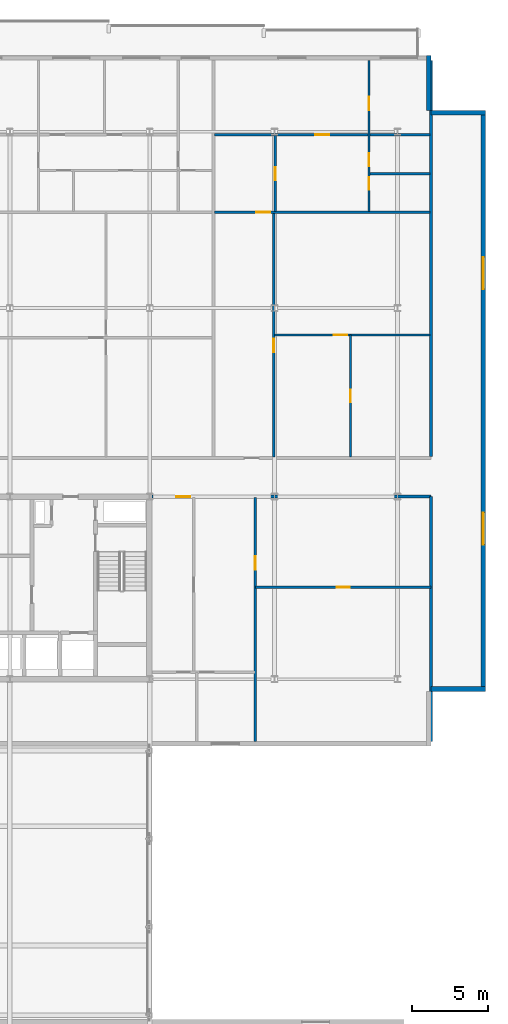
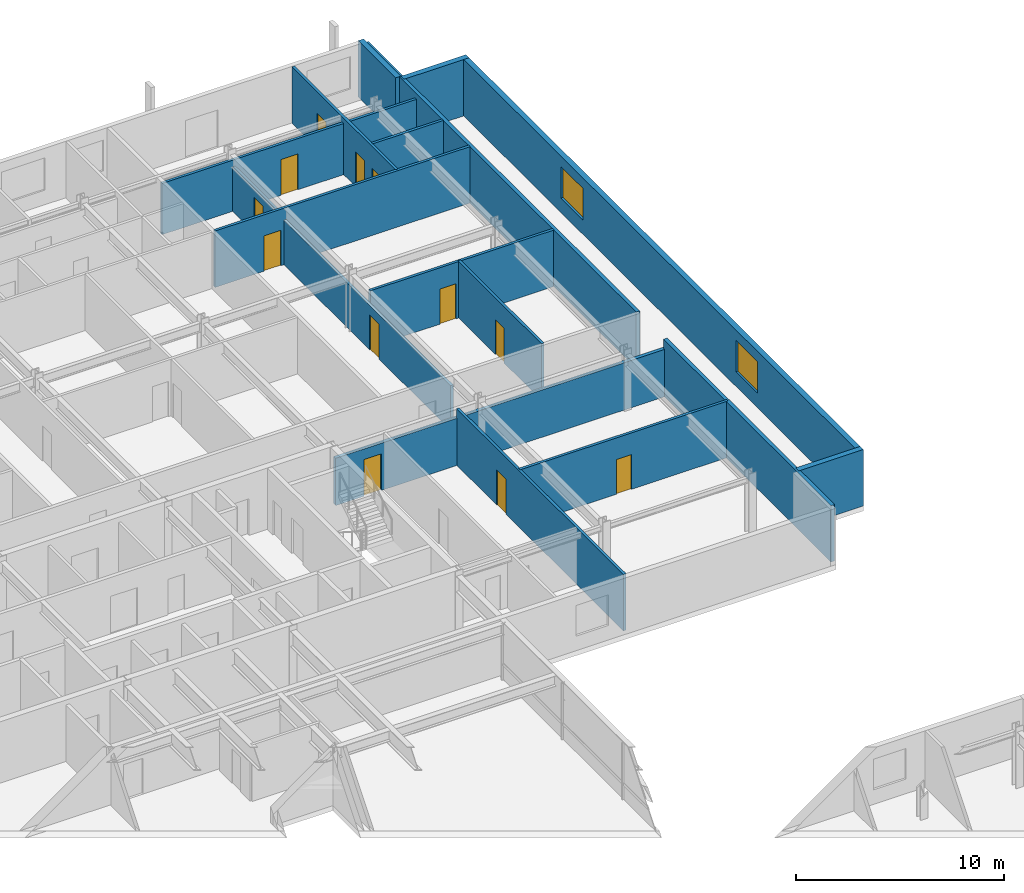
# One storey, part 29 of 36: 17 walls, 12 doors, 2 windows, 14 openings.
"""IFC4 building model written with IfcOpenShell, lengths in metres."""

from ifc_helpers import new_model, si_unit, direction, frame, frame_2d, origin, place, context, subcontext, project, spatial, rectangle, extrude, material, layer, layer_set, type_object, element, fill, save


model = new_model("IFC4")

# Units and contexts
model_context = context("Model", 3, precision=1e-05, world=origin(), true_north=direction((0.0, 1.0)))
body_context = subcontext(model_context, "Body", "Model", "MODEL_VIEW")
ifc_project = project(units=[si_unit("LENGTHUNIT", "METRE"), si_unit("AREAUNIT", "SQUARE_METRE"), si_unit("VOLUMEUNIT", "CUBIC_METRE"), si_unit("PLANEANGLEUNIT", "RADIAN"), si_unit("MASSUNIT", "GRAM", prefix="KILO")], contexts=[model_context])

# Site, building, storey
site_placement = place(None, origin())
site = spatial("IfcSite", under=ifc_project, at=site_placement, CompositionType="ELEMENT")
building_placement = place(site_placement, origin())
building = spatial("IfcBuilding", under=site, at=building_placement, Name="Korimba Cascade Residences", CompositionType="ELEMENT")
storey_placement = place(building_placement, frame((0.0, 0.0, 146.5)))
storey = spatial("IfcBuildingStorey", under=building, at=storey_placement, Name="L42", CompositionType="ELEMENT", Elevation=146.5)

# Wall
ifc_material_1 = material(Name="Precast concrete C40/50", Category="concrete")
ifc_layer_1 = layer(ifc_material_1, 0.300048828125)
ifc_layer_set_1 = layer_set([ifc_layer_1], Name="Precast concrete C40/50")
wall_type_1 = type_object("IfcWallType", Name="EW-STONE-300", PredefinedType="STANDARD", material=ifc_layer_set_1)
wall_1_placement = place(storey_placement, frame((130.60009765625, 54.550048828125, 0.0), z_axis=(0.0, 0.0, 1.0), x_axis=(1.0, 0.0, 0.0)))
element("IfcWall", 1, at=wall_1_placement, inside=storey, type_object=wall_type_1, Name="L42 T1 Perimeter Stone Wall E02", PredefinedType="STANDARD", context=body_context, shape_type="SweptSolid", body=[
    extrude(rectangle(XDim=3.599853515625, YDim=0.300048828125, at=frame_2d((1.7998046875, 0.0))), origin(), (0.0, 0.0, 1.0), 3.31005859375),
])

# Wall, openings, windows
wall_2_placement = place(storey_placement, frame((134.050048828125, 54.39990234375, 0.0), z_axis=(0.0, 0.0, 1.0), x_axis=(0.0, 1.0, 0.0)))
wall_2 = element("IfcWall", 2, at=wall_2_placement, inside=storey, type_object=wall_type_1, Name="L42 T1 Perimeter Stone Wall E03", PredefinedType="STANDARD", context=body_context, shape_type="SweptSolid", body=[
    extrude(rectangle(XDim=38.2001953125, YDim=0.300048828125, at=frame_2d((19.10009765625, 0.0))), origin(), (0.0, 0.0, 1.0), 3.31005859375),
])
opening_1_placement = place(wall_2_placement, frame((9.64599609375, 0.0, 0.85009765625)))
opening_1 = element("IfcOpeningElement", 3, at=opening_1_placement, cuts=wall_2, Name="Opening W-03", PredefinedType="OPENING", context=body_context, shape_type="SweptSolid", body=[
    extrude(rectangle(XDim=2.10009765625, YDim=1.85009765625, at=frame_2d((1.050048828125, 0.925048828125))), frame((0.0, 0.16015625, 0.0), z_axis=(0.0, -1.0, 0.0), x_axis=(1.0, 0.0, 0.0)), (0.0, 0.0, 1.0), 0.320068359375),
])
opening_2_placement = place(wall_2_placement, frame((26.4541015625, 0.0, 0.85009765625)))
opening_2 = element("IfcOpeningElement", 4, at=opening_2_placement, cuts=wall_2, Name="Opening W-03", PredefinedType="OPENING", context=body_context, shape_type="SweptSolid", body=[
    extrude(rectangle(XDim=2.10009765625, YDim=1.85009765625, at=frame_2d((1.050048828125, 0.925048828125))), frame((0.0, 0.16015625, 0.0), z_axis=(0.0, -1.0, 0.0), x_axis=(1.0, 0.0, 0.0)), (0.0, 0.0, 1.0), 0.320068359375),
])
ifc_material_2 = material(Name="Double-Glazed Aluminium Window", Category="aluminium")
window_type = type_object("IfcWindowType", Name="WIN-CRN-2100", PartitioningType="DOUBLE_PANEL_HORIZONTAL", PredefinedType="WINDOW", material=ifc_material_2)
window_1_placement = place(opening_1_placement, origin())
window_1 = element("IfcWindow", 5, at=window_1_placement, inside=storey, type_object=window_type, Name="L42 T1 End View Window 3.1", OverallHeight=1.85009765625, OverallWidth=2.10009765625, PartitioningType="DOUBLE_PANEL_HORIZONTAL", PredefinedType="WINDOW", context=body_context, shape_type="SweptSolid", body=[
    extrude(rectangle(XDim=2.10009765625, YDim=1.85009765625, at=frame_2d((1.050048828125, 0.925048828125))), frame((0.0, 0.030029296875, 0.0), z_axis=(0.0, -1.0, 0.0), x_axis=(1.0, 0.0, 0.0)), (0.0, 0.0, 1.0), 0.06005859375),
])
fill(opening_1, window_1)
window_2_placement = place(opening_2_placement, origin())
window_2 = element("IfcWindow", 6, at=window_2_placement, inside=storey, type_object=window_type, Name="L42 T1 End View Window 3.2", OverallHeight=1.85009765625, OverallWidth=2.10009765625, PartitioningType="DOUBLE_PANEL_HORIZONTAL", PredefinedType="WINDOW", context=body_context, shape_type="SweptSolid", body=[
    extrude(rectangle(XDim=2.10009765625, YDim=1.85009765625, at=frame_2d((1.050048828125, 0.925048828125))), frame((0.0, 0.030029296875, 0.0), z_axis=(0.0, -1.0, 0.0), x_axis=(1.0, 0.0, 0.0)), (0.0, 0.0, 1.0), 0.06005859375),
])
fill(opening_2, window_2)

# Walls
for number, where, z_axis, x_axis, name in (
    (7, (134.199951171875, 92.449951171875, 0.0), (0.0, 0.0, 1.0), (-1.0, 0.0, 0.0), "L42 T1 Perimeter Stone Wall E04"),
    (8, (130.449951171875, 92.60009765625, 0.0), (0.0, 0.0, 1.0), (0.0, 1.0, 0.0), "L42 T1 Perimeter Stone Wall E05"),
):
    element("IfcWall", number, at=place(storey_placement, frame(where, z_axis=z_axis, x_axis=x_axis)), inside=storey, type_object=wall_type_1, Name=name, PredefinedType="STANDARD", context=body_context, shape_type="SweptSolid", body=[
        extrude(rectangle(XDim=3.599853515625, YDim=0.300048828125, at=frame_2d((1.7998046875, 0.0))), origin(), (0.0, 0.0, 1.0), 3.31005859375),
    ])
ifc_layer_2 = layer(ifc_material_1, 0.199951171875)
ifc_layer_set_2 = layer_set([ifc_layer_2], Name="Precast concrete C40/50")
wall_type_2 = type_object("IfcWallType", Name="WAL-IT-200", PredefinedType="PARTITIONING", material=ifc_layer_set_2)
wall_3_placement = place(storey_placement, frame((130.60009765625, 51.10009765625, 0.0), z_axis=(0.0, 0.0, 1.0), x_axis=(0.0, 1.0, 0.0)))
element("IfcWall", 9, at=wall_3_placement, inside=storey, type_object=wall_type_2, Name="L42 Partition Wall WAL-L42-T1-FE-WR", PredefinedType="PARTITIONING", context=body_context, shape_type="SweptSolid", body=[
    extrude(rectangle(XDim=16.099853515625, YDim=0.199951171875, at=frame_2d((8.0498046875, 0.0))), origin(), (0.0, 0.0, 1.0), 3.31005859375),
])

# Wall, opening, door
wall_4_placement = place(storey_placement, frame((112.25, 67.199951171875, 0.0), z_axis=(0.0, 0.0, 1.0), x_axis=(1.0, 0.0, 0.0)))
wall_4 = element("IfcWall", 10, at=wall_4_placement, inside=storey, type_object=wall_type_2, Name="L42 Partition Wall WAL-L42-T1-FE-N", PredefinedType="PARTITIONING", context=body_context, shape_type="SweptSolid", body=[
    extrude(rectangle(XDim=18.35009765625, YDim=0.199951171875, at=frame_2d((9.175048828125, 0.0))), origin(), (0.0, 0.0, 1.0), 2.773193359375),
])
opening_3_placement = place(wall_4_placement, frame((1.580078125, 0.0, 0.0)))
opening_3 = element("IfcOpeningElement", 11, at=opening_3_placement, cuts=wall_4, Name="Opening D-UN1", PredefinedType="OPENING", context=body_context, shape_type="SweptSolid", body=[
    extrude(rectangle(XDim=0.949951171875, YDim=2.14990234375, at=frame_2d((0.47509765625, 1.074951171875))), frame((0.0, 0.10986328125, 0.0), z_axis=(0.0, -1.0, 0.0), x_axis=(1.0, 0.0, 0.0)), (0.0, 0.0, 1.0), 0.219970703125),
])
ifc_material_3 = material(Name="Fire-Rated Hardwood Apartment Entrance Door", Category="wood")
door_type_1 = type_object("IfcDoorType", Name="DR-FD60-950", OperationType="NOTDEFINED", PredefinedType="DOOR", material=ifc_material_3)
door_1_placement = place(opening_3_placement, origin())
door_1 = element("IfcDoor", 12, at=door_1_placement, inside=storey, type_object=door_type_1, Name="L42-T1-FE Entrance Door", OperationType="SINGLE_SWING_RIGHT", OverallHeight=2.14990234375, OverallWidth=0.949951171875, PredefinedType="DOOR", context=body_context, shape_type="SweptSolid", body=[
    extrude(rectangle(XDim=0.949951171875, YDim=2.14990234375, at=frame_2d((0.47509765625, 1.074951171875))), frame((0.0, 0.02490234375, 0.0), z_axis=(0.0, -1.0, 0.0), x_axis=(1.0, 0.0, 0.0)), (0.0, 0.0, 1.0), 0.050048828125),
])
fill(opening_3, door_1)

# Wall
wall_5_placement = place(storey_placement, frame((130.60009765625, 69.830078125, 0.0), z_axis=(0.0, 0.0, 1.0), x_axis=(0.0, 1.0, 0.0)))
element("IfcWall", 13, at=wall_5_placement, inside=storey, type_object=wall_type_2, Name="L42 Partition Wall WAL-L42-T1-BNDWR", PredefinedType="PARTITIONING", context=body_context, shape_type="SweptSolid", body=[
    extrude(rectangle(XDim=26.06982421875, YDim=0.199951171875, at=frame_2d((13.034912109375, 0.0))), origin(), (0.0, 0.0, 1.0), 3.31005859375),
])

# Wall, opening, door
ifc_material_4 = material(Name="Insulated Acoustic Stud Partition", Category="gypsum")
ifc_layer_3 = layer(ifc_material_4, 0.14990234375)
ifc_layer_set_3 = layer_set([ifc_layer_3], Name="Insulated Acoustic Stud Partition")
wall_type_3 = type_object("IfcWallType", Name="WAL-PART-150", PredefinedType="PARTITIONING", material=ifc_layer_set_3)
wall_6_placement = place(storey_placement, frame((119.050048828125, 61.25, 0.0), z_axis=(0.0, 0.0, 1.0), x_axis=(1.0, 0.0, 0.0)))
wall_6 = element("IfcWall", 14, at=wall_6_placement, inside=storey, type_object=wall_type_3, Name="L42 Partition Wall WAL-L42-T1-FE-STH", PredefinedType="PARTITIONING", context=body_context, shape_type="SweptSolid", body=[
    extrude(rectangle(XDim=11.550048828125, YDim=0.14990234375, at=frame_2d((5.77490234375, 0.0))), origin(), (0.0, 0.0, 1.0), 3.31005859375),
])
opening_4_placement = place(wall_6_placement, frame((5.35498046875, 0.0, 0.0)))
opening_4 = element("IfcOpeningElement", 15, at=opening_4_placement, cuts=wall_6, Name="Opening D-BT1", PredefinedType="OPENING", context=body_context, shape_type="SweptSolid", body=[
    extrude(rectangle(XDim=0.840087890625, YDim=2.0400390625, at=frame_2d((0.419921875, 1.02001953125))), frame((0.0, 0.0849609375, 0.0), z_axis=(0.0, -1.0, 0.0), x_axis=(1.0, 0.0, 0.0)), (0.0, 0.0, 1.0), 0.169921875),
])
ifc_material_5 = material(Name="Moisture-Resistant Bathroom Timber Door", Category="wood")
door_type_2 = type_object("IfcDoorType", Name="DR-INT-850", OperationType="NOTDEFINED", PredefinedType="DOOR", material=ifc_material_5)
door_2_placement = place(opening_4_placement, origin())
door_2 = element("IfcDoor", 16, at=door_2_placement, inside=storey, type_object=door_type_2, Name="L42-T1-FE Dressing Store Door", OperationType="SINGLE_SWING_LEFT", OverallHeight=2.0400390625, OverallWidth=0.840087890625, PredefinedType="DOOR", context=body_context, shape_type="SweptSolid", body=[
    extrude(rectangle(XDim=0.840087890625, YDim=2.0400390625, at=frame_2d((0.419921875, 1.02001953125))), frame((0.0, 0.02490234375, 0.0), z_axis=(0.0, -1.0, 0.0), x_axis=(1.0, 0.0, 0.0)), (0.0, 0.0, 1.0), 0.050048828125),
])
fill(opening_4, door_2)

wall_7_placement = place(storey_placement, frame((119.050048828125, 51.10009765625, 0.0), z_axis=(0.0, 0.0, 1.0), x_axis=(0.0, 1.0, 0.0)))
wall_7 = element("IfcWall", 17, at=wall_7_placement, inside=storey, type_object=wall_type_3, Name="L42 Partition Wall WAL-L42-T1-FE-STV", PredefinedType="PARTITIONING", context=body_context, shape_type="SweptSolid", body=[
    extrude(rectangle(XDim=16.0498046875, YDim=0.14990234375, at=frame_2d((8.02490234375, 0.0))), origin(), (0.0, 0.0, 1.0), 3.31005859375),
])
opening_5_placement = place(wall_7_placement, frame((11.300048828125, 0.0, 0.0)))
opening_5 = element("IfcOpeningElement", 18, at=opening_5_placement, cuts=wall_7, Name="Opening D-IN2", PredefinedType="OPENING", context=body_context, shape_type="SweptSolid", body=[
    extrude(rectangle(XDim=0.8798828125, YDim=2.06005859375, at=frame_2d((0.43994140625, 1.030029296875))), frame((0.0, 0.0849609375, 0.0), z_axis=(0.0, -1.0, 0.0), x_axis=(1.0, 0.0, 0.0)), (0.0, 0.0, 1.0), 0.169921875),
])
ifc_material_6 = material(Name="Acoustic Timber Bedroom Door", Category="wood")
door_type_3 = type_object("IfcDoorType", Name="DR-INT-880", OperationType="NOTDEFINED", PredefinedType="DOOR", material=ifc_material_6)
door_3_placement = place(opening_5_placement, origin())
door_3 = element("IfcDoor", 19, at=door_3_placement, inside=storey, type_object=door_type_3, Name="L42-T1-FE Study Door", OperationType="SINGLE_SWING_RIGHT", OverallHeight=2.06005859375, OverallWidth=0.8798828125, PredefinedType="DOOR", context=body_context, shape_type="SweptSolid", body=[
    extrude(rectangle(XDim=0.8798828125, YDim=2.06005859375, at=frame_2d((0.43994140625, 1.030029296875))), frame((0.0, 0.02490234375, 0.0), z_axis=(0.0, -1.0, 0.0), x_axis=(1.0, 0.0, 0.0)), (0.0, 0.0, 1.0), 0.050048828125),
])
fill(opening_5, door_3)

wall_8_placement = place(storey_placement, frame((125.301513671875, 69.81005859375, 0.0), z_axis=(0.0, 0.0, 1.0), x_axis=(0.0, 1.0, 0.0)))
wall_8 = element("IfcWall", 20, at=wall_8_placement, inside=storey, type_object=wall_type_3, Name="L42 Partition Wall WAL-L42-T1-U04-FMV", PredefinedType="PARTITIONING", context=body_context, shape_type="SweptSolid", body=[
    extrude(rectangle(XDim=8.02490234375, YDim=0.14990234375, at=frame_2d((4.012451171875, 0.0))), origin(), (0.0, 0.0, 1.0), 3.31005859375),
])
opening_6_placement = place(wall_8_placement, frame((3.592529296875, 0.0, 0.0)))
opening_6 = element("IfcOpeningElement", 21, at=opening_6_placement, cuts=wall_8, Name="Opening D-BT1", PredefinedType="OPENING", context=body_context, shape_type="SweptSolid", body=[
    extrude(rectangle(XDim=0.840087890625, YDim=2.0400390625, at=frame_2d((0.419921875, 1.02001953125))), frame((0.0, 0.0849609375, 0.0), z_axis=(0.0, -1.0, 0.0), x_axis=(1.0, 0.0, 0.0)), (0.0, 0.0, 1.0), 0.169921875),
])
door_4_placement = place(opening_6_placement, origin())
door_4 = element("IfcDoor", 22, at=door_4_placement, inside=storey, type_object=door_type_2, Name="L42-T1-U04 Wardrobe Door", OperationType="SINGLE_SWING_RIGHT", OverallHeight=2.0400390625, OverallWidth=0.840087890625, PredefinedType="DOOR", context=body_context, shape_type="SweptSolid", body=[
    extrude(rectangle(XDim=0.840087890625, YDim=2.0400390625, at=frame_2d((0.419921875, 1.02001953125))), frame((0.0, 0.02490234375, 0.0), z_axis=(0.0, -1.0, 0.0), x_axis=(1.0, 0.0, 0.0)), (0.0, 0.0, 1.0), 0.050048828125),
])
fill(opening_6, door_4)

wall_9_placement = place(storey_placement, frame((120.32275390625, 77.8349609375, 0.0), z_axis=(0.0, 0.0, 1.0), x_axis=(1.0, 0.0, 0.0)))
wall_9 = element("IfcWall", 23, at=wall_9_placement, inside=storey, type_object=wall_type_3, Name="L42 Partition Wall WAL-L42-T1-U04-FMH", PredefinedType="PARTITIONING", context=body_context, shape_type="SweptSolid", body=[
    extrude(rectangle(XDim=10.197265625, YDim=0.14990234375, at=frame_2d((5.0986328125, 0.0))), origin(), (0.0, 0.0, 1.0), 3.31005859375),
])
opening_7_placement = place(wall_9_placement, frame((3.878662109375, 0.0, 0.0)))
opening_7 = element("IfcOpeningElement", 24, at=opening_7_placement, cuts=wall_9, Name="Opening D-IN2", PredefinedType="OPENING", context=body_context, shape_type="SweptSolid", body=[
    extrude(rectangle(XDim=0.8798828125, YDim=2.06005859375, at=frame_2d((0.43994140625, 1.030029296875))), frame((0.0, 0.0849609375, 0.0), z_axis=(0.0, -1.0, 0.0), x_axis=(1.0, 0.0, 0.0)), (0.0, 0.0, 1.0), 0.169921875),
])
door_5_placement = place(opening_7_placement, origin())
door_5 = element("IfcDoor", 25, at=door_5_placement, inside=storey, type_object=door_type_3, Name="L42-T1-U04 Library Salon Door", OperationType="SINGLE_SWING_LEFT", OverallHeight=2.06005859375, OverallWidth=0.8798828125, PredefinedType="DOOR", context=body_context, shape_type="SweptSolid", body=[
    extrude(rectangle(XDim=0.8798828125, YDim=2.06005859375, at=frame_2d((0.43994140625, 1.030029296875))), frame((0.0, 0.02490234375, 0.0), z_axis=(0.0, -1.0, 0.0), x_axis=(1.0, 0.0, 0.0)), (0.0, 0.0, 1.0), 0.050048828125),
])
fill(opening_7, door_5)

wall_10_placement = place(storey_placement, frame((120.2626953125, 69.81005859375, 0.0), z_axis=(0.0, 0.0, 1.0), x_axis=(0.0, 1.0, 0.0)))
wall_10 = element("IfcWall", 26, at=wall_10_placement, inside=storey, type_object=wall_type_3, Name="L42 Partition Wall WAL-L42-T1-U04-FV", PredefinedType="PARTITIONING", context=body_context, shape_type="SweptSolid", body=[
    extrude(rectangle(XDim=16.050048828125, YDim=0.14990234375, at=frame_2d((8.02490234375, 0.0))), origin(), (0.0, 0.0, 1.0), 2.6171875),
])
opening_8_placement = place(wall_10_placement, frame((6.89501953125, 0.0, 0.0)))
opening_8 = element("IfcOpeningElement", 27, at=opening_8_placement, cuts=wall_10, Name="Opening D-IN2", PredefinedType="OPENING", context=body_context, shape_type="SweptSolid", body=[
    extrude(rectangle(XDim=0.8798828125, YDim=2.06005859375, at=frame_2d((0.43994140625, 1.030029296875))), frame((0.0, 0.0849609375, 0.0), z_axis=(0.0, -1.0, 0.0), x_axis=(1.0, 0.0, 0.0)), (0.0, 0.0, 1.0), 0.169921875),
])
door_6_placement = place(opening_8_placement, origin())
door_6 = element("IfcDoor", 28, at=door_6_placement, inside=storey, type_object=door_type_3, Name="L42-T1-U04 Media Lounge Door", OperationType="SINGLE_SWING_RIGHT", OverallHeight=2.06005859375, OverallWidth=0.8798828125, PredefinedType="DOOR", context=body_context, shape_type="SweptSolid", body=[
    extrude(rectangle(XDim=0.8798828125, YDim=2.06005859375, at=frame_2d((0.43994140625, 1.030029296875))), frame((0.0, 0.02490234375, 0.0), z_axis=(0.0, -1.0, 0.0), x_axis=(1.0, 0.0, 0.0)), (0.0, 0.0, 1.0), 0.050048828125),
])
fill(opening_8, door_6)

wall_11_placement = place(storey_placement, frame((120.36279296875, 85.93994140625, 0.0), z_axis=(0.0, 0.0, 1.0), x_axis=(0.0, 1.0, 0.0)))
wall_11 = element("IfcWall", 29, at=wall_11_placement, inside=storey, type_object=wall_type_3, Name="L42 Partition Wall WAL-L42-T1-U04-VDIN", PredefinedType="PARTITIONING", context=body_context, shape_type="SweptSolid", body=[
    extrude(rectangle(XDim=5.0, YDim=0.14990234375, at=frame_2d((2.5, 0.0))), origin(), (0.0, 0.0, 1.0), 2.6171875),
])
opening_9_placement = place(wall_11_placement, frame((2.06005859375, 0.0, 0.0)))
opening_9 = element("IfcOpeningElement", 30, at=opening_9_placement, cuts=wall_11, Name="Opening D-IN2", PredefinedType="OPENING", context=body_context, shape_type="SweptSolid", body=[
    extrude(rectangle(XDim=0.8798828125, YDim=2.06005859375, at=frame_2d((0.43994140625, 1.030029296875))), frame((0.0, 0.0849609375, 0.0), z_axis=(0.0, -1.0, 0.0), x_axis=(1.0, 0.0, 0.0)), (0.0, 0.0, 1.0), 0.169921875),
])
door_7_placement = place(opening_9_placement, origin())
door_7 = element("IfcDoor", 31, at=door_7_placement, inside=storey, type_object=door_type_3, Name="L42-T1-U04 Dining Room Door", OperationType="SINGLE_SWING_LEFT", OverallHeight=2.06005859375, OverallWidth=0.8798828125, PredefinedType="DOOR", context=body_context, shape_type="SweptSolid", body=[
    extrude(rectangle(XDim=0.8798828125, YDim=2.06005859375, at=frame_2d((0.43994140625, 1.030029296875))), frame((0.0, 0.02490234375, 0.0), z_axis=(0.0, -1.0, 0.0), x_axis=(1.0, 0.0, 0.0)), (0.0, 0.0, 1.0), 0.050048828125),
])
fill(opening_9, door_7)

# Wall
wall_12_placement = place(storey_placement, frame((126.580078125, 88.43994140625, 0.0), z_axis=(0.0, 0.0, 1.0), x_axis=(1.0, 0.0, 0.0)))
element("IfcWall", 32, at=wall_12_placement, inside=storey, type_object=wall_type_3, Name="L42 Partition Wall WAL-L42-T1-U04-BLDIV", PredefinedType="PARTITIONING", context=body_context, shape_type="SweptSolid", body=[
    extrude(rectangle(XDim=3.93994140625, YDim=0.14990234375, at=frame_2d((1.969970703125, 0.0))), origin(), (0.0, 0.0, 1.0), 3.31005859375),
])

# Wall, openings, doors
wall_13_placement = place(storey_placement, frame((126.52001953125, 85.93994140625, 0.0), z_axis=(0.0, 0.0, 1.0), x_axis=(0.0, 1.0, 0.0)))
wall_13 = element("IfcWall", 33, at=wall_13_placement, inside=storey, type_object=wall_type_3, Name="L42 Partition Wall WAL-L42-T1-U04-V1", PredefinedType="PARTITIONING", context=body_context, shape_type="SweptSolid", body=[
    extrude(rectangle(XDim=9.9599609375, YDim=0.14990234375, at=frame_2d((4.97998046875, 0.0))), origin(), (0.0, 0.0, 1.0), 3.31005859375),
])
opening_10_placement = place(wall_13_placement, frame((1.430419921875, 0.0, 0.0)))
opening_10 = element("IfcOpeningElement", 34, at=opening_10_placement, cuts=wall_13, Name="Opening D-BT1", PredefinedType="OPENING", context=body_context, shape_type="SweptSolid", body=[
    extrude(rectangle(XDim=0.840087890625, YDim=2.0400390625, at=frame_2d((0.419921875, 1.02001953125))), frame((0.0, 0.0849609375, 0.0), z_axis=(0.0, -1.0, 0.0), x_axis=(1.0, 0.0, 0.0)), (0.0, 0.0, 1.0), 0.169921875),
])
opening_11_placement = place(wall_13_placement, frame((3.00244140625, 0.0, 0.0)))
opening_11 = element("IfcOpeningElement", 35, at=opening_11_placement, cuts=wall_13, Name="Opening D-BT1", PredefinedType="OPENING", context=body_context, shape_type="SweptSolid", body=[
    extrude(rectangle(XDim=0.840087890625, YDim=2.0400390625, at=frame_2d((0.419921875, 1.02001953125))), frame((0.0, 0.0849609375, 0.0), z_axis=(0.0, -1.0, 0.0), x_axis=(1.0, 0.0, 0.0)), (0.0, 0.0, 1.0), 0.169921875),
])
opening_12_placement = place(wall_13_placement, frame((6.66943359375, 0.0, 0.0)))
opening_12 = element("IfcOpeningElement", 36, at=opening_12_placement, cuts=wall_13, Name="Opening D-IN2", PredefinedType="OPENING", context=body_context, shape_type="SweptSolid", body=[
    extrude(rectangle(XDim=0.8798828125, YDim=2.06005859375, at=frame_2d((0.43994140625, 1.030029296875))), frame((0.0, 0.0849609375, 0.0), z_axis=(0.0, -1.0, 0.0), x_axis=(1.0, 0.0, 0.0)), (0.0, 0.0, 1.0), 0.169921875),
])
door_8_placement = place(opening_10_placement, origin())
door_8 = element("IfcDoor", 37, at=door_8_placement, inside=storey, type_object=door_type_2, Name="L42-T1-U04 Bathroom Door", OperationType="SINGLE_SWING_RIGHT", OverallHeight=2.0400390625, OverallWidth=0.840087890625, PredefinedType="DOOR", context=body_context, shape_type="SweptSolid", body=[
    extrude(rectangle(XDim=0.840087890625, YDim=2.0400390625, at=frame_2d((0.419921875, 1.02001953125))), frame((0.0, 0.02490234375, 0.0), z_axis=(0.0, -1.0, 0.0), x_axis=(1.0, 0.0, 0.0)), (0.0, 0.0, 1.0), 0.050048828125),
])
fill(opening_10, door_8)
door_9_placement = place(opening_11_placement, origin())
door_9 = element("IfcDoor", 38, at=door_9_placement, inside=storey, type_object=door_type_2, Name="L42-T1-U04 Laundry Door", OperationType="SINGLE_SWING_LEFT", OverallHeight=2.0400390625, OverallWidth=0.840087890625, PredefinedType="DOOR", context=body_context, shape_type="SweptSolid", body=[
    extrude(rectangle(XDim=0.840087890625, YDim=2.0400390625, at=frame_2d((0.419921875, 1.02001953125))), frame((0.0, 0.02490234375, 0.0), z_axis=(0.0, -1.0, 0.0), x_axis=(1.0, 0.0, 0.0)), (0.0, 0.0, 1.0), 0.050048828125),
])
fill(opening_11, door_9)
door_10_placement = place(opening_12_placement, origin())
door_10 = element("IfcDoor", 39, at=door_10_placement, inside=storey, type_object=door_type_3, Name="L42-T1-U04 Bedroom 1 Door", OperationType="SINGLE_SWING_RIGHT", OverallHeight=2.06005859375, OverallWidth=0.8798828125, PredefinedType="DOOR", context=body_context, shape_type="SweptSolid", body=[
    extrude(rectangle(XDim=0.8798828125, YDim=2.06005859375, at=frame_2d((0.43994140625, 1.030029296875))), frame((0.0, 0.02490234375, 0.0), z_axis=(0.0, -1.0, 0.0), x_axis=(1.0, 0.0, 0.0)), (0.0, 0.0, 1.0), 0.050048828125),
])
fill(opening_12, door_10)

# Wall, opening, door
wall_14_placement = place(storey_placement, frame((116.372802734375, 85.89990234375, 0.0), z_axis=(0.0, 0.0, 1.0), x_axis=(1.0, 0.0, 0.0)))
wall_14 = element("IfcWall", 40, at=wall_14_placement, inside=storey, type_object=wall_type_3, Name="L42 Partition Wall WAL-L42-T1-U04-MW", PredefinedType="PARTITIONING", context=body_context, shape_type="SweptSolid", body=[
    extrude(rectangle(XDim=14.147216796875, YDim=0.14990234375, at=frame_2d((7.07373046875, 0.0))), origin(), (0.0, 0.0, 1.0), 3.31005859375),
])
opening_13_placement = place(wall_14_placement, frame((2.719970703125, 0.0, 0.0)))
opening_13 = element("IfcOpeningElement", 41, at=opening_13_placement, cuts=wall_14, Name="Opening D-IN1", PredefinedType="OPENING", context=body_context, shape_type="SweptSolid", body=[
    extrude(rectangle(XDim=0.919921875, YDim=2.080078125, at=frame_2d((0.4599609375, 1.0400390625))), frame((0.0, 0.0849609375, 0.0), z_axis=(0.0, -1.0, 0.0), x_axis=(1.0, 0.0, 0.0)), (0.0, 0.0, 1.0), 0.169921875),
])
ifc_material_7 = material(Name="Acoustic Timber Living Door", Category="wood")
door_type_4 = type_object("IfcDoorType", Name="DR-INT-920", OperationType="NOTDEFINED", PredefinedType="DOOR", material=ifc_material_7)
door_11_placement = place(opening_13_placement, origin())
door_11 = element("IfcDoor", 42, at=door_11_placement, inside=storey, type_object=door_type_4, Name="L42-T1-U04 Kitchen Archway Door", OperationType="SINGLE_SWING_LEFT", OverallHeight=2.080078125, OverallWidth=0.919921875, PredefinedType="DOOR", context=body_context, shape_type="SweptSolid", body=[
    extrude(rectangle(XDim=0.919921875, YDim=2.080078125, at=frame_2d((0.4599609375, 1.0400390625))), frame((0.0, 0.02490234375, 0.0), z_axis=(0.0, -1.0, 0.0), x_axis=(1.0, 0.0, 0.0)), (0.0, 0.0, 1.0), 0.050048828125),
])
fill(opening_13, door_11)

wall_15_placement = place(storey_placement, frame((116.372802734375, 91.0, 0.0), z_axis=(0.0, 0.0, 1.0), x_axis=(1.0, 0.0, 0.0)))
wall_15 = element("IfcWall", 43, at=wall_15_placement, inside=storey, type_object=wall_type_3, Name="L42 Partition Wall WAL-L42-T1-U04-HZ", PredefinedType="PARTITIONING", context=body_context, shape_type="SweptSolid", body=[
    extrude(rectangle(XDim=14.147216796875, YDim=0.14990234375, at=frame_2d((7.07373046875, 0.0))), origin(), (0.0, 0.0, 1.0), 3.00341796875),
])
opening_14_placement = place(wall_15_placement, frame((6.603515625, 0.0, 0.0)))
opening_14 = element("IfcOpeningElement", 44, at=opening_14_placement, cuts=wall_15, Name="Opening D-IN0", PredefinedType="OPENING", context=body_context, shape_type="SweptSolid", body=[
    extrude(rectangle(XDim=0.93994140625, YDim=2.10009765625, at=frame_2d((0.469970703125, 1.050048828125))), frame((0.0, 0.0849609375, 0.0), z_axis=(0.0, -1.0, 0.0), x_axis=(1.0, 0.0, 0.0)), (0.0, 0.0, 1.0), 0.169921875),
])
ifc_material_8 = material(Name="Acoustic Timber Living Archway Door", Category="wood")
door_type_5 = type_object("IfcDoorType", Name="DR-INT-950", OperationType="NOTDEFINED", PredefinedType="DOOR", material=ifc_material_8)
door_12_placement = place(opening_14_placement, origin())
door_12 = element("IfcDoor", 45, at=door_12_placement, inside=storey, type_object=door_type_5, Name="L42-T1-U04 Living Archway Door", OperationType="SINGLE_SWING_RIGHT", OverallHeight=2.10009765625, OverallWidth=0.93994140625, PredefinedType="DOOR", context=body_context, shape_type="SweptSolid", body=[
    extrude(rectangle(XDim=0.93994140625, YDim=2.10009765625, at=frame_2d((0.469970703125, 1.050048828125))), frame((0.0, 0.02490234375, 0.0), z_axis=(0.0, -1.0, 0.0), x_axis=(1.0, 0.0, 0.0)), (0.0, 0.0, 1.0), 0.050048828125),
])
fill(opening_14, door_12)

save(model, "model.ifc")
